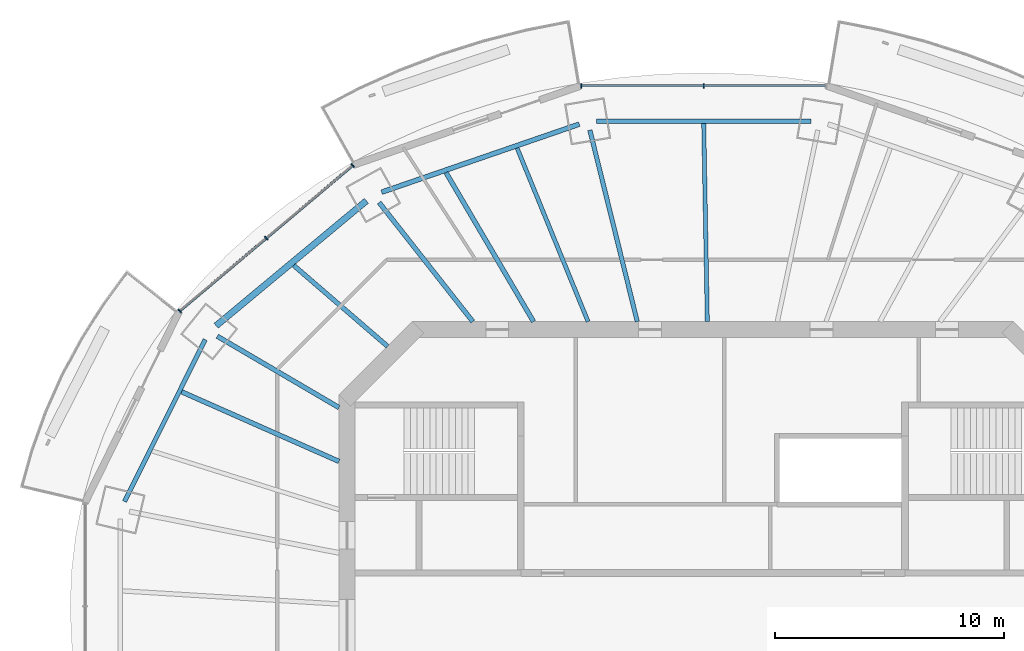
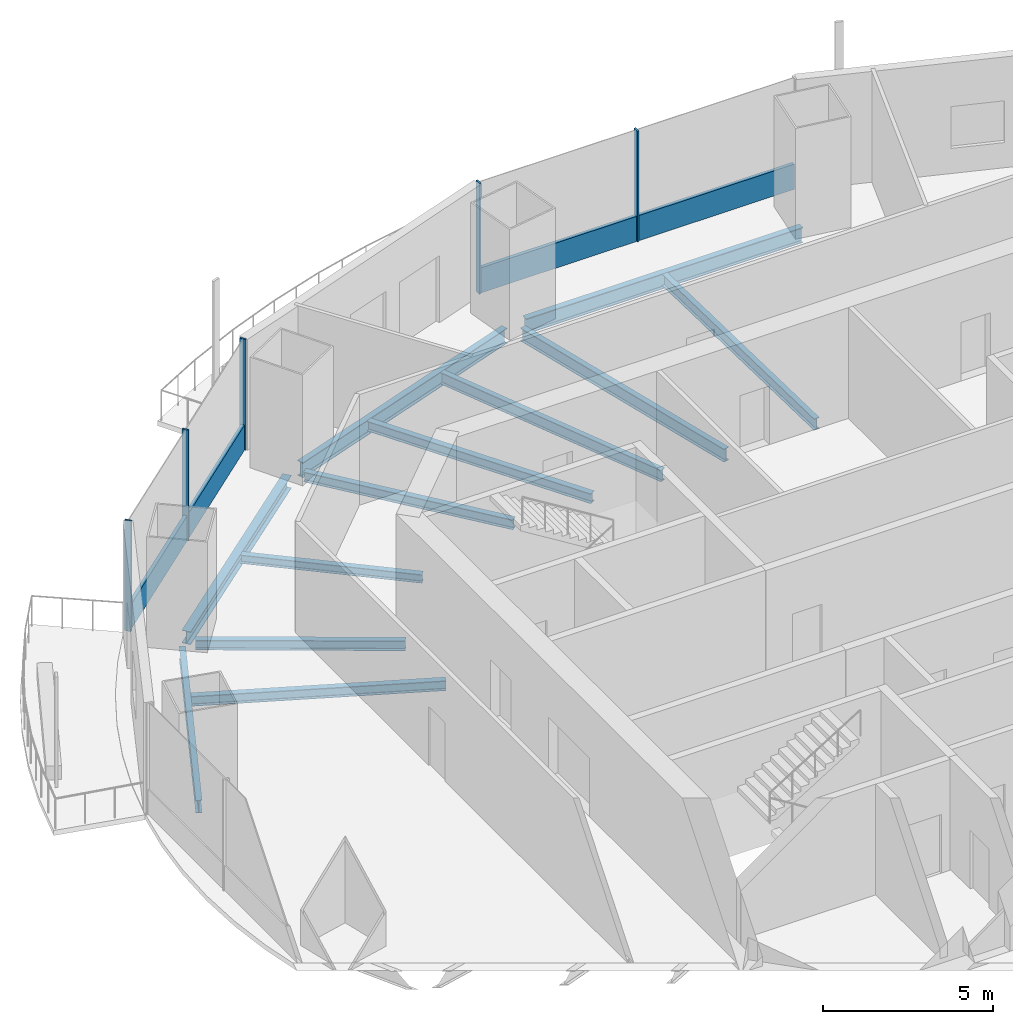
# One storey, part 5 of 16: 12 beams, 7 members, 2 elements without a shape of their own.
"""IFC4 building model written with IfcOpenShell, lengths in metres."""

import ifcopenshell
import ifcopenshell.guid

model = None  # the IFC model being written
_history = None  # IfcOwnerHistory: only IFC2X3 demands one
_inside = {}  # id of a spatial element -> (the spatial element, [elements in it])
_under = {}  # id of a project, library or spatial element -> (it, [spatial elements below it])
_declared = {}  # id of a project -> (the project, [libraries it declares])
_typed = {}  # id of a type object -> (the type object, [elements of that type])
_made_of = {}  # id of a material, layer set ... -> (it, [elements and type objects made of it])


def new_model(schema):
    """Start an empty IFC model of exactly this schema.

    Asked for "IFC4X3", IfcOpenShell would pick the latest addendum, in which some entities
    have other attributes; the version numbers below select the first issue.
    IFC2X3 requires an IfcOwnerHistory on every rooted entity: one is made here for all.
    """
    global model, _history
    if schema == "IFC4X3":
        model = ifcopenshell.file(schema_version=(4, 3, 0, 0))
    else:
        model = ifcopenshell.file(schema=schema)
    _inside.clear()
    _under.clear()
    _declared.clear()
    _typed.clear()
    _made_of.clear()
    _history = None
    if model.schema == "IFC2X3":
        org = make("IfcOrganization", Name="unknown")
        user = make(
            "IfcPersonAndOrganization",
            ThePerson=make("IfcPerson", FamilyName="unknown"),
            TheOrganization=org,
        )
        app = make(
            "IfcApplication",
            ApplicationDeveloper=org,
            Version="unknown",
            ApplicationFullName="unknown",
            ApplicationIdentifier="unknown",
        )
        _history = make(
            "IfcOwnerHistory",
            OwningUser=user,
            OwningApplication=app,
            ChangeAction="ADDED",
            CreationDate=0,
        )
    return model


def make(cls, **values):
    """One entity of the class cls with the attributes given. An attribute that is None is left unset."""
    return model.create_entity(
        cls, **{name: value for name, value in values.items() if value is not None}
    )


def rooted(cls, **values):
    """An entity with a GlobalId (a new one), such as an element, a storey or a relation."""
    return make(cls, GlobalId=ifcopenshell.guid.new(), OwnerHistory=_history, **values)


def si_unit(unit_type, name, prefix=None):
    """IfcSIUnit, for example si_unit("LENGTHUNIT", "METRE", prefix="MILLI")."""
    return make("IfcSIUnit", UnitType=unit_type, Prefix=prefix, Name=name)


def assignment(units):
    """IfcUnitAssignment: the units of a project."""
    return None if units is None else make("IfcUnitAssignment", Units=units)


def point(xyz):
    """IfcCartesianPoint."""
    return None if xyz is None else make("IfcCartesianPoint", Coordinates=xyz)


def direction(xyz):
    """IfcDirection."""
    return None if xyz is None else make("IfcDirection", DirectionRatios=xyz)


def frame(location, z_axis=None, x_axis=None):
    """IfcAxis2Placement3D, a coordinate frame: its origin and axes. An axis left out is left unset."""
    return make(
        "IfcAxis2Placement3D",
        Location=point(location),
        Axis=direction(z_axis),
        RefDirection=direction(x_axis),
    )


def frame_2d(location, x_axis=None):
    """IfcAxis2Placement2D, a coordinate frame in the plane: its origin and x axis."""
    return make(
        "IfcAxis2Placement2D", Location=point(location), RefDirection=direction(x_axis)
    )


def origin():
    """The frame at (0, 0, 0) with its axes left unset."""
    return frame((0.0, 0.0, 0.0))


def origin_2d():
    """The frame at (0, 0) in the plane with its x axis left unset."""
    return frame_2d((0.0, 0.0))


def place(relative_to, where):
    """IfcLocalPlacement: puts the frame where relative to a parent placement (None: the world)."""
    return make(
        "IfcLocalPlacement", PlacementRelTo=relative_to, RelativePlacement=where
    )


def context(
    kind, dimensions, precision=None, world=None, true_north=None, identifier=None
):
    """IfcGeometricRepresentationContext, for example the 3D "Model" context."""
    return make(
        "IfcGeometricRepresentationContext",
        ContextIdentifier=identifier,
        ContextType=kind,
        CoordinateSpaceDimension=dimensions,
        Precision=precision,
        WorldCoordinateSystem=world,
        TrueNorth=true_north,
    )


def subcontext(parent, identifier, kind, view, scale=None):
    """IfcGeometricRepresentationSubContext, for example "Body" below "Model"."""
    return make(
        "IfcGeometricRepresentationSubContext",
        ContextIdentifier=identifier,
        ContextType=kind,
        ParentContext=parent,
        TargetScale=scale,
        TargetView=view,
    )


def project(units=None, contexts=None):
    """IfcProject with its units and contexts."""
    return rooted(
        "IfcProject",
        Name="project",
        RepresentationContexts=contexts,
        UnitsInContext=assignment(units),
    )


def spatial(cls, under=None, at=None, **own):
    """A site, building, storey or space (cls), placed at a placement, below another one or the project."""
    s = rooted(cls, ObjectPlacement=at, **own)
    if under is not None:
        _under.setdefault(under.id(), (under, []))[1].append(s)
    return s


def profile(cls, at=None, kind="AREA", **sizes):
    """A parametric profile (cls). Its sizes go by their IFC names, for example OverallWidth=200.0."""
    return make(cls, ProfileType=kind, Position=at, **sizes)


def rectangle(**sizes):
    """IfcRectangleProfileDef."""
    return profile("IfcRectangleProfileDef", **sizes)


def i_section(**sizes):
    """IfcIShapeProfileDef."""
    return profile("IfcIShapeProfileDef", **sizes)


def extrude(swept, where, along, depth):
    """IfcExtrudedAreaSolid: the profile swept, set in the frame where, extruded along a direction by depth."""
    return make(
        "IfcExtrudedAreaSolid",
        SweptArea=swept,
        Position=where,
        ExtrudedDirection=direction(along),
        Depth=depth,
    )


def shape(context_of_items, identifier, shape_type, items):
    """IfcShapeRepresentation: the items that make up one representation, for example the "Body"."""
    return make(
        "IfcShapeRepresentation",
        ContextOfItems=context_of_items,
        RepresentationIdentifier=identifier,
        RepresentationType=shape_type,
        Items=items,
    )


def material(Name=None, Category=None):
    """IfcMaterial."""
    return make("IfcMaterial", Name=Name, Category=Category)


def material_profile(
    of_material, cross_section, Name=None, Category=None, Priority=None
):
    """IfcMaterialProfile: a cross section and its material."""
    return make(
        "IfcMaterialProfile",
        Name=Name,
        Material=of_material,
        Profile=cross_section,
        Priority=Priority,
        Category=Category,
    )


def profile_set(profiles, Name=None, composite=None):
    """IfcMaterialProfileSet."""
    return make(
        "IfcMaterialProfileSet",
        Name=Name,
        MaterialProfiles=profiles,
        CompositeProfile=composite,
    )


def made_of(thing, what):
    """Note that an element or type object is made of a material, layer set ...; save() writes the relation."""
    if what is not None:
        _made_of.setdefault(what.id(), (what, []))[1].append(thing)
    return thing


def type_object(cls, material=None, **own):
    """A type object (cls), such as IfcWallType, which elements share."""
    return made_of(rooted(cls, **own), material)


def element(
    cls,
    number,
    at=None,
    inside=None,
    cuts=None,
    type_object=None,
    material=None,
    context=None,
    identifier="Body",
    shape_type=None,
    held_by="IfcProductDefinitionShape",
    body=None,
    shapes=None,
    **own,
):
    """One element of the class cls, such as IfcWall. Its Tag is "e" and its number.

    at: its placement. inside: the storey or other place that contains it. cuts: it is an
    opening in that element (IfcRelVoidsElement). A single representation is given by context,
    identifier, shape_type and body (its items); several are given by shapes. held_by: the class
    of the entity that holds the representations. save() writes the other relations.
    """
    e = rooted(cls, Tag="e%d" % number, ObjectPlacement=at, **own)
    if body is not None:
        shapes = [shape(context, identifier, shape_type, body)]
    if shapes is not None:
        e.Representation = make(held_by, Representations=shapes)
    if inside is not None:
        _inside.setdefault(inside.id(), (inside, []))[1].append(e)
    if cuts is not None:
        rooted(
            "IfcRelVoidsElement", RelatingBuildingElement=cuts, RelatedOpeningElement=e
        )
    if type_object is not None:
        _typed.setdefault(type_object.id(), (type_object, []))[1].append(e)
    return made_of(e, material)


def aggregate(whole, parts):
    """IfcRelAggregates: a whole, such as a stair, and the parts it consists of."""
    return rooted("IfcRelAggregates", RelatingObject=whole, RelatedObjects=parts)


def save(model, path):
    """Write the relations noted so far, then the file.

    IfcRelAggregates (storeys below a building ...), IfcRelContainedInSpatialStructure (elements
    in a storey), IfcRelDefinesByType, IfcRelAssociatesMaterial and IfcRelDeclares: one each for
    every whole, place, type object, material and project.
    """
    for whole, parts in _under.values():
        aggregate(whole, parts)
    for where, things in _inside.values():
        rooted(
            "IfcRelContainedInSpatialStructure",
            RelatedElements=things,
            RelatingStructure=where,
        )
    for kind, things in _typed.values():
        rooted("IfcRelDefinesByType", RelatedObjects=things, RelatingType=kind)
    for what, things in _made_of.values():
        rooted("IfcRelAssociatesMaterial", RelatedObjects=things, RelatingMaterial=what)
    for by, libraries in _declared.values():
        rooted("IfcRelDeclares", RelatingContext=by, RelatedDefinitions=libraries)
    model.write(path)


model = new_model("IFC4")

# Units and contexts
model_context = context("Model", 3, precision=1e-05, world=origin(), true_north=direction((0.0, 1.0)))
body_context = subcontext(model_context, "Body", "Model", "MODEL_VIEW")
ifc_project = project(units=[si_unit("LENGTHUNIT", "METRE"), si_unit("AREAUNIT", "SQUARE_METRE"), si_unit("VOLUMEUNIT", "CUBIC_METRE"), si_unit("PLANEANGLEUNIT", "RADIAN"), si_unit("MASSUNIT", "GRAM", prefix="KILO")], contexts=[model_context])

# Site, building, storey
site_placement = place(None, origin())
site = spatial("IfcSite", under=ifc_project, at=site_placement, CompositionType="ELEMENT")
building_placement = place(site_placement, origin())
building = spatial("IfcBuilding", under=site, at=building_placement, Name="Marenthal Gate Tower", CompositionType="ELEMENT")
storey_placement = place(building_placement, frame((0.0, 0.0, 321.85009765625)))
storey = spatial("IfcBuildingStorey", under=building, at=storey_placement, Name="L72", CompositionType="ELEMENT", Elevation=321.85009765625)

# Curtain wall, members
ifc_material_1 = material(Name="Aluminium and glass", Category="aluminium")
curtain_wall_type = type_object("IfcCurtainWallType", Name="Curtain wall typical high", PredefinedType="NOTDEFINED", material=ifc_material_1)
curtain_wall_1_placement = place(storey_placement, origin())
curtain_wall_1 = element("IfcCurtainWall", 1, at=curtain_wall_1_placement, inside=storey, type_object=curtain_wall_type, Name="Curtain wall L72 bay 4", PredefinedType="NOTDEFINED")
ifc_material_2 = material(Name="Aluminium", Category="aluminium")
ifc_material_profile_1 = material_profile(ifc_material_2, rectangle(XDim=0.199951171875, YDim=0.06005859375, at=origin_2d()), Name="60x200 aluminium mullion")
ifc_profile_set_1 = profile_set([ifc_material_profile_1], Name="Aluminium")
member_type_1 = type_object("IfcMemberType", Name="Mullion 60x200 typical high", PredefinedType="MULLION", material=ifc_profile_set_1)
member_1_placement = place(storey_placement, frame((-0.39990234375, 23.6611328125, 0.0), z_axis=(0.0, 0.0, 1.0), x_axis=(0.0, -1.0, 0.0)))
member_1 = element("IfcMember", 2, at=member_1_placement, type_object=member_type_1, Name="Mullion L72 bay 4.2", PredefinedType="MULLION", context=body_context, shape_type="SweptSolid", body=[
    extrude(rectangle(XDim=0.199951171875, YDim=0.06005859375, at=origin_2d()), origin(), (0.0, 0.0, 1.0), 3.969970703125),
])
member_2_placement = place(storey_placement, frame((-5.7529296875, 23.6611328125, 0.0), z_axis=(0.0, 0.0, 1.0), x_axis=(0.0, -1.0, 0.0)))
member_2 = element("IfcMember", 3, at=member_2_placement, type_object=member_type_1, Name="Mullion L72 bay 4.3", PredefinedType="MULLION", context=body_context, shape_type="SweptSolid", body=[
    extrude(rectangle(XDim=0.199951171875, YDim=0.06005859375, at=origin_2d()), origin(), (0.0, 0.0, 1.0), 3.969970703125),
])

curtain_wall_2_placement = place(storey_placement, origin())
curtain_wall_2 = element("IfcCurtainWall", 4, at=curtain_wall_2_placement, inside=storey, type_object=curtain_wall_type, Name="Curtain wall L72 bay 6", PredefinedType="NOTDEFINED")
member_3_placement = place(storey_placement, frame((-15.752197265625, 20.176513671875, 0.0), z_axis=(0.0, 0.0, 1.0), x_axis=(0.643676220215, -0.76529793122, 0.0)))
member_3 = element("IfcMember", 5, at=member_3_placement, type_object=member_type_1, Name="Mullion L72 bay 6.1", PredefinedType="MULLION", context=body_context, shape_type="SweptSolid", body=[
    extrude(rectangle(XDim=0.199951171875, YDim=0.06005859375, at=origin_2d()), origin(), (0.0, 0.0, 1.0), 3.969970703125),
])
member_4_placement = place(storey_placement, frame((-19.53564453125, 16.99462890625, 0.0), z_axis=(0.0, 0.0, 1.0), x_axis=(0.643676220215, -0.76529793122, 0.0)))
member_4 = element("IfcMember", 6, at=member_4_placement, type_object=member_type_1, Name="Mullion L72 bay 6.2", PredefinedType="MULLION", context=body_context, shape_type="SweptSolid", body=[
    extrude(rectangle(XDim=0.199951171875, YDim=0.06005859375, at=origin_2d()), origin(), (0.0, 0.0, 1.0), 3.969970703125),
])
member_5_placement = place(storey_placement, frame((-23.31884765625, 13.8125, 0.0), z_axis=(0.0, 0.0, 1.0), x_axis=(0.643676220215, -0.76529793122, 0.0)))
member_5 = element("IfcMember", 7, at=member_5_placement, type_object=member_type_1, Name="Mullion L72 bay 6.3", PredefinedType="MULLION", context=body_context, shape_type="SweptSolid", body=[
    extrude(rectangle(XDim=0.199951171875, YDim=0.06005859375, at=origin_2d()), origin(), (0.0, 0.0, 1.0), 3.969970703125),
])

# Member
ifc_material_3 = material(Name="Aluminium", Category="aluminium")
ifc_material_profile_2 = material_profile(ifc_material_3, rectangle(XDim=0.1201171875, YDim=0.89990234375, at=origin_2d()), Name="120x900 aluminium transom")
ifc_profile_set_2 = profile_set([ifc_material_profile_2], Name="Aluminium")
member_type_2 = type_object("IfcMemberType", Name="Transom 120x900 typical high", PredefinedType="USERDEFINED", material=ifc_profile_set_2)
member_6_placement = place(storey_placement, frame((4.9228515625, 23.6611328125, 0.449951171875), z_axis=(-1.0, 0.0, 0.0), x_axis=(0.0, -1.0, 0.0)))
member_6 = element("IfcMember", 8, at=member_6_placement, type_object=member_type_2, Name="Transom L72 bay 4", ObjectType="TRANSOM", PredefinedType="USERDEFINED", context=body_context, shape_type="SweptSolid", body=[
    extrude(rectangle(XDim=0.1201171875, YDim=0.89990234375, at=origin_2d()), origin(), (0.0, 0.0, 1.0), 10.645751953125),
])

aggregate(curtain_wall_1, [member_1, member_2, member_6])

member_7_placement = place(storey_placement, frame((-15.775146484375, 20.1572265625, 0.449951171875), z_axis=(-0.765303397989, -0.643669720451, 0.0), x_axis=(0.643669720451, -0.765303397989, 0.0)))
member_7 = element("IfcMember", 9, at=member_7_placement, type_object=member_type_2, Name="Transom L72 bay 6", ObjectType="TRANSOM", PredefinedType="USERDEFINED", context=body_context, shape_type="SweptSolid", body=[
    extrude(rectangle(XDim=0.1201171875, YDim=0.89990234375, at=origin_2d()), origin(), (0.0, 0.0, 1.0), 9.8271484375),
])

aggregate(curtain_wall_2, [member_3, member_4, member_5, member_7])

# Beams
ifc_material_4 = material(Name="Steel S355", Category="steel")
ifc_material_profile_3 = material_profile(ifc_material_4, i_section(OverallWidth=0.202880859375, OverallDepth=0.302001953125, WebThickness=0.007568359375, FlangeThickness=0.01318359375, FilletRadius=0.0126953125, at=origin_2d()), Name="W310X60")
ifc_profile_set_3 = profile_set([ifc_material_profile_3], Name="Steel S355")
beam_type_1 = type_object("IfcBeamType", Name="W310X60 beam", PredefinedType="BEAM", material=ifc_profile_set_3)
beam_1_placement = place(storey_placement, frame((-18.332763671875, 15.806396484375, -0.3310546875), z_axis=(0.757361566937, -0.652995755673, 0.0), x_axis=(0.652995755673, 0.757361566937, 0.0)))
element("IfcBeam", 10, at=beam_1_placement, inside=storey, type_object=beam_type_1, Name="BM-L72-25", PredefinedType="BEAM", context=body_context, shape_type="SweptSolid", body=[
    extrude(i_section(OverallWidth=0.202880859375, OverallDepth=0.302001953125, WebThickness=0.007568359375, FlangeThickness=0.01318359375, FilletRadius=0.0126953125, at=origin_2d()), origin(), (0.0, 0.0, 1.0), 5.420166015625),
])
ifc_material_5 = material(Name="Steel S355", Category="steel")
ifc_material_profile_4 = material_profile(ifc_material_5, i_section(OverallWidth=0.205078125, OverallDepth=0.35302734375, WebThickness=0.009521484375, FlangeThickness=0.016845703125, FilletRadius=0.014892578125, at=origin_2d()), Name="W360X79")
ifc_profile_set_4 = profile_set([ifc_material_profile_4], Name="Steel S355")
beam_type_2 = type_object("IfcBeamType", Name="W360X79 beam", PredefinedType="BEAM", material=ifc_profile_set_4)
beam_2_placement = place(storey_placement, frame((-14.59716796875, 18.55859375, -0.356689453125), z_axis=(0.618244505553, -0.785985834067, 0.0), x_axis=(0.785985834067, 0.618244505553, 0.0)))
element("IfcBeam", 11, at=beam_2_placement, inside=storey, type_object=beam_type_2, Name="BM-L72-06", PredefinedType="BEAM", context=body_context, shape_type="SweptSolid", body=[
    extrude(i_section(OverallWidth=0.205078125, OverallDepth=0.35302734375, WebThickness=0.009521484375, FlangeThickness=0.016845703125, FilletRadius=0.014892578125, at=origin_2d()), origin(), (0.0, 0.0, 1.0), 6.626708984375),
])
beam_3_placement = place(storey_placement, frame((-21.6748046875, 12.7080078125, -0.356689453125), z_axis=(0.862666430461, -0.505773298776, 0.0), x_axis=(0.505773298776, 0.862666430461, 0.0)))
element("IfcBeam", 12, at=beam_3_placement, inside=storey, type_object=beam_type_2, Name="BM-L72-07", PredefinedType="BEAM", context=body_context, shape_type="SweptSolid", body=[
    extrude(i_section(OverallWidth=0.205078125, OverallDepth=0.35302734375, WebThickness=0.009521484375, FlangeThickness=0.016845703125, FilletRadius=0.014892578125, at=origin_2d()), origin(), (0.0, 0.0, 1.0), 6.17236328125),
])
beam_4_placement = place(storey_placement, frame((-11.671142578125, 19.865478515625, -0.356689453125), z_axis=(0.50655835561, -0.862205678688, 0.0), x_axis=(0.862205678688, 0.50655835561, 0.0)))
element("IfcBeam", 13, at=beam_4_placement, inside=storey, type_object=beam_type_2, Name="BM-L72-24", PredefinedType="BEAM", context=body_context, shape_type="SweptSolid", body=[
    extrude(i_section(OverallWidth=0.205078125, OverallDepth=0.35302734375, WebThickness=0.009521484375, FlangeThickness=0.016845703125, FilletRadius=0.014892578125, at=origin_2d()), origin(), (0.0, 0.0, 1.0), 7.556640625),
])
beam_5_placement = place(storey_placement, frame((-23.2353515625, 10.27783203125, -0.356689453125), z_axis=(0.914522879834, -0.404534179347, 0.0), x_axis=(0.404534179347, 0.914522879834, 0.0)))
element("IfcBeam", 14, at=beam_5_placement, inside=storey, type_object=beam_type_2, Name="BM-L72-26", PredefinedType="BEAM", context=body_context, shape_type="SweptSolid", body=[
    extrude(i_section(OverallWidth=0.205078125, OverallDepth=0.35302734375, WebThickness=0.009521484375, FlangeThickness=0.016845703125, FilletRadius=0.014892578125, at=origin_2d()), origin(), (0.0, 0.0, 1.0), 7.52880859375),
])
ifc_material_6 = material(Name="Steel S355", Category="steel")
ifc_material_profile_5 = material_profile(ifc_material_6, i_section(OverallWidth=0.180908203125, OverallDepth=0.4169921875, WebThickness=0.010986328125, FlangeThickness=0.018310546875, FilletRadius=0.01025390625, at=origin_2d()), Name="W410X85")
ifc_profile_set_5 = profile_set([ifc_material_profile_5], Name="Steel S355")
beam_type_3 = type_object("IfcBeamType", Name="W410X85 beam", PredefinedType="BEAM", material=ifc_profile_set_5)
beam_6_placement = place(storey_placement, frame((-0.398193359375, 22.00537109375, -0.388671875), z_axis=(0.018106023879, -0.999836072514, 0.0), x_axis=(0.999836072514, 0.018106023879, 0.0)))
element("IfcBeam", 15, at=beam_6_placement, inside=storey, type_object=beam_type_3, Name="BM-L72-22", PredefinedType="BEAM", context=body_context, shape_type="SweptSolid", body=[
    extrude(i_section(OverallWidth=0.180908203125, OverallDepth=0.4169921875, WebThickness=0.010986328125, FlangeThickness=0.018310546875, FilletRadius=0.01025390625, at=origin_2d()), origin(), (0.0, 0.0, 1.0), 8.65673828125),
])
beam_7_placement = place(storey_placement, frame((-8.56005859375, 20.936767578125, -0.388671875), z_axis=(0.378441463941, -0.925625225656, 0.0), x_axis=(0.925625225656, 0.378441463941, 0.0)))
element("IfcBeam", 16, at=beam_7_placement, inside=storey, type_object=beam_type_3, Name="BM-L72-23", PredefinedType="BEAM", context=body_context, shape_type="SweptSolid", body=[
    extrude(i_section(OverallWidth=0.180908203125, OverallDepth=0.4169921875, WebThickness=0.010986328125, FlangeThickness=0.018310546875, FilletRadius=0.01025390625, at=origin_2d()), origin(), (0.0, 0.0, 1.0), 8.1962890625),
])
ifc_material_7 = material(Name="Steel S355", Category="steel")
ifc_material_profile_6 = material_profile(ifc_material_7, i_section(OverallWidth=0.279052734375, OverallDepth=0.4619140625, WebThickness=0.0107421875, FlangeThickness=0.017333984375, FilletRadius=0.010009765625, at=origin_2d()), Name="W460X113")
ifc_profile_set_6 = profile_set([ifc_material_profile_6], Name="Steel S355")
beam_type_4 = type_object("IfcBeamType", Name="W460X113 beam", PredefinedType="BEAM", material=ifc_profile_set_6)
beam_8_placement = place(storey_placement, frame((-15.151611328125, 18.632568359375, -0.4111328125), z_axis=(-0.768960363439, -0.63929645663, 0.0), x_axis=(0.63929645663, -0.768960363439, 0.0)))
element("IfcBeam", 17, at=beam_8_placement, inside=storey, type_object=beam_type_4, Name="BM-L72-46", PredefinedType="BEAM", context=body_context, shape_type="SweptSolid", body=[
    extrude(i_section(OverallWidth=0.279052734375, OverallDepth=0.4619140625, WebThickness=0.0107421875, FlangeThickness=0.017333984375, FilletRadius=0.010009765625, at=origin_2d()), origin(), (0.0, 0.0, 1.0), 8.550048828125),
])
ifc_material_8 = material(Name="Steel S355", Category="steel")
ifc_material_profile_7 = material_profile(ifc_material_8, i_section(OverallWidth=0.19091796875, OverallDepth=0.45703125, WebThickness=0.009033203125, FlangeThickness=0.014404296875, FilletRadius=0.01025390625, at=origin_2d()), Name="W460X74")
ifc_profile_set_7 = profile_set([ifc_material_profile_7], Name="Steel S355")
beam_type_5 = type_object("IfcBeamType", Name="W460X74 beam", PredefinedType="BEAM", material=ifc_profile_set_7)
beam_9_placement = place(storey_placement, frame((-22.20458984375, 12.561279296875, -0.40869140625), z_axis=(-0.445917839927, -0.89507389641, 0.0), x_axis=(0.89507389641, -0.445917839927, 0.0)))
element("IfcBeam", 18, at=beam_9_placement, inside=storey, type_object=beam_type_5, Name="BM-L72-47", PredefinedType="BEAM", context=body_context, shape_type="SweptSolid", body=[
    extrude(i_section(OverallWidth=0.19091796875, OverallDepth=0.45703125, WebThickness=0.009033203125, FlangeThickness=0.014404296875, FilletRadius=0.01025390625, at=origin_2d()), origin(), (0.0, 0.0, 1.0), 7.916259765625),
])
ifc_material_9 = material(Name="Steel S355", Category="steel")
ifc_material_profile_8 = material_profile(ifc_material_9, i_section(OverallWidth=0.193115234375, OverallDepth=0.467041015625, WebThickness=0.011474609375, FlangeThickness=0.01904296875, FilletRadius=0.010009765625, at=origin_2d()), Name="W460X97")
ifc_profile_set_8 = profile_set([ifc_material_profile_8], Name="Steel S355")
beam_type_6 = type_object("IfcBeamType", Name="W460X97 beam", PredefinedType="BEAM", material=ifc_profile_set_8)
beam_10_placement = place(storey_placement, frame((-5.3779296875, 21.720458984375, -0.41357421875), z_axis=(0.240343299319, -0.970687951132, 0.0), x_axis=(0.970687951132, 0.240343299319, 0.0)))
element("IfcBeam", 19, at=beam_10_placement, inside=storey, type_object=beam_type_6, Name="BM-L72-05", PredefinedType="BEAM", context=body_context, shape_type="SweptSolid", body=[
    extrude(i_section(OverallWidth=0.193115234375, OverallDepth=0.467041015625, WebThickness=0.011474609375, FlangeThickness=0.01904296875, FilletRadius=0.010009765625, at=origin_2d()), origin(), (0.0, 0.0, 1.0), 8.623046875),
])
ifc_material_10 = material(Name="Steel S355", Category="steel")
ifc_material_profile_9 = material_profile(ifc_material_10, i_section(OverallWidth=0.2119140625, OverallDepth=0.5439453125, WebThickness=0.01318359375, FlangeThickness=0.021240234375, FilletRadius=0.0126953125, at=origin_2d()), Name="W530X123")
ifc_profile_set_9 = profile_set([ifc_material_profile_9], Name="Steel S355")
beam_type_7 = type_object("IfcBeamType", Name="W530X123 beam", PredefinedType="BEAM", material=ifc_profile_set_9)
beam_11_placement = place(storey_placement, frame((4.287841796875, 22.111328125, -0.4521484375), z_axis=(-1.0, 0.0, 0.0), x_axis=(0.0, -1.0, 0.0)))
element("IfcBeam", 20, at=beam_11_placement, inside=storey, type_object=beam_type_7, Name="BM-L72-44", PredefinedType="BEAM", context=body_context, shape_type="SweptSolid", body=[
    extrude(i_section(OverallWidth=0.2119140625, OverallDepth=0.5439453125, WebThickness=0.01318359375, FlangeThickness=0.021240234375, FilletRadius=0.0126953125, at=origin_2d()), origin(), (0.0, 0.0, 1.0), 9.375732421875),
])
beam_12_placement = place(storey_placement, frame((-5.841064453125, 21.985107421875, -0.4521484375), z_axis=(-0.945506586405, -0.325602971522, 0.0), x_axis=(0.325602971522, -0.945506586405, 0.0)))
element("IfcBeam", 21, at=beam_12_placement, inside=storey, type_object=beam_type_7, Name="BM-L72-45", PredefinedType="BEAM", context=body_context, shape_type="SweptSolid", body=[
    extrude(i_section(OverallWidth=0.2119140625, OverallDepth=0.5439453125, WebThickness=0.01318359375, FlangeThickness=0.021240234375, FilletRadius=0.0126953125, at=origin_2d()), origin(), (0.0, 0.0, 1.0), 9.140869140625),
])

save(model, "model.ifc")
